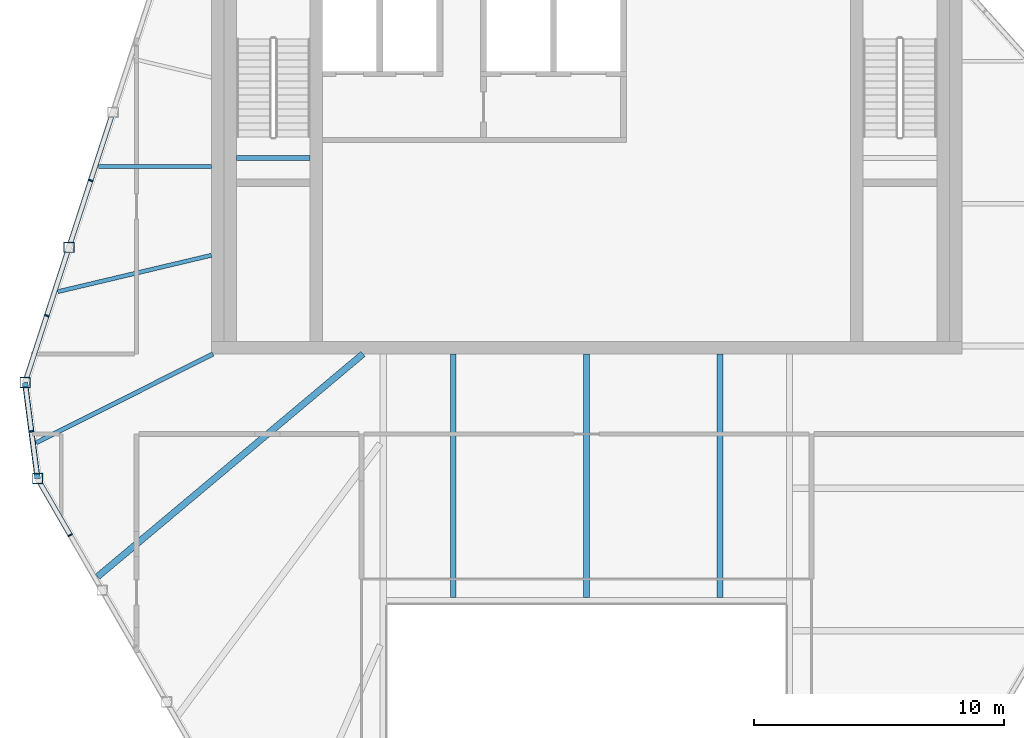
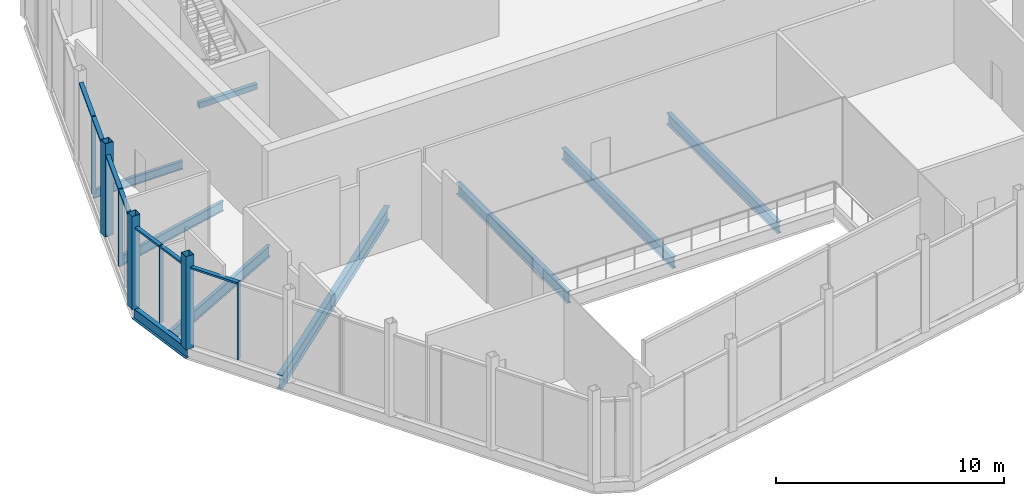
# One storey, part 3 of 12: 14 members, 9 beams, 3 elements without a shape of their own.
"""IFC4 building model written with IfcOpenShell, lengths in metres."""

from ifc_helpers import new_model, si_unit, direction, frame, origin, origin_2d, place, context, subcontext, project, spatial, rectangle, hollow_rectangle, i_section, extrude, material, layer, layer_set, material_profile, profile_set, type_object, element, aggregate, save


model = new_model("IFC4")

# Units and contexts
model_context = context("Model", 3, precision=1e-05, world=origin(), true_north=direction((0.0, 1.0)))
body_context = subcontext(model_context, "Body", "Model", "MODEL_VIEW")
ifc_project = project(units=[si_unit("LENGTHUNIT", "METRE"), si_unit("AREAUNIT", "SQUARE_METRE"), si_unit("VOLUMEUNIT", "CUBIC_METRE"), si_unit("PLANEANGLEUNIT", "RADIAN"), si_unit("MASSUNIT", "GRAM", prefix="KILO")], contexts=[model_context])

# Site, building, storey
site_placement = place(None, origin())
site = spatial("IfcSite", under=ifc_project, at=site_placement, CompositionType="ELEMENT")
building_placement = place(site_placement, origin())
building = spatial("IfcBuilding", under=site, at=building_placement, Name="Isthmus Gate Tower", CompositionType="ELEMENT")
storey_placement = place(building_placement, frame((0.0, 0.0, 306.10009765625)))
storey = spatial("IfcBuildingStorey", under=building, at=storey_placement, Name="C2", CompositionType="ELEMENT", Elevation=306.10009765625)

# Members
ifc_material_1 = material(Name="Structural steel ASTM A500 Gr C", Category="steel")
ifc_material_profile_1 = material_profile(ifc_material_1, hollow_rectangle(XDim=0.406494140625, YDim=0.406494140625, WallThickness=0.017578125, at=origin_2d()), Name="HSS16X16X3/4")
ifc_profile_set_1 = profile_set([ifc_material_profile_1], Name="Structural steel ASTM A500 Gr C")
member_type_1 = type_object("IfcMemberType", Name="CROWN POST HSS16X16X3/4", PredefinedType="POST", material=ifc_profile_set_1)
for number, where, z_axis, x_axis, name in (
    (1, (-20.693359375, 4.26123046875, -0.25), (0.0, 0.0, 1.0), (1.0, 0.0, 0.0), "str-crownpost-C2-09"),
    (2, (-22.449462890625, -1.1435546875, -0.25), (0.0, 0.0, 1.0), (1.0, 0.0, 0.0), "str-crownpost-C2-10"),
    (3, (-21.949462890625, -4.982177734375, -0.25), (0.0, 0.0, 1.0), (1.0, 0.0, 0.0), "str-crownpost-C2-11"),
):
    element("IfcMember", number, at=place(storey_placement, frame(where, z_axis=z_axis, x_axis=x_axis)), inside=storey, type_object=member_type_1, Name=name, PredefinedType="POST", context=body_context, shape_type="SweptSolid", body=[
        extrude(hollow_rectangle(XDim=0.406494140625, YDim=0.406494140625, WallThickness=0.017578125, at=origin_2d()), origin(), (0.0, 0.0, 1.0), 5.0),
    ])

# Beam
ifc_material_2 = material(Name="Structural steel ASTM A992 Gr 50", Category="steel")
ifc_material_profile_2 = material_profile(ifc_material_2, i_section(OverallWidth=0.231689453125, OverallDepth=0.615966796875, WebThickness=0.0126953125, FlangeThickness=0.022216796875, at=origin_2d()), Name="W24X94")
ifc_profile_set_2 = profile_set([ifc_material_profile_2], Name="Structural steel ASTM A992 Gr 50")
beam_type_1 = type_object("IfcBeamType", Name="CROWN RING BEAM W24X94", PredefinedType="BEAM", material=ifc_profile_set_2)
beam_1_placement = place(storey_placement, frame((-22.449462890625, -1.1435546875, -0.55810546875), z_axis=(0.129163927133, -0.991623255036, 0.0), x_axis=(0.991623255036, 0.129163927133, 0.0)))
element("IfcBeam", 4, at=beam_1_placement, inside=storey, type_object=beam_type_1, Name="str-crownring-C2-03", PredefinedType="BEAM", context=body_context, shape_type="SweptSolid", body=[
    extrude(i_section(OverallWidth=0.231689453125, OverallDepth=0.615966796875, WebThickness=0.0126953125, FlangeThickness=0.022216796875, at=origin_2d()), origin(), (0.0, 0.0, 1.0), 3.87109375),
])

# Curtain wall, members
ifc_material_3 = material(Name="Aluminium, pale champagne anodised", Category="aluminium")
ifc_layer = layer(ifc_material_3, 0.199951171875)
ifc_layer_set = layer_set([ifc_layer], Name="CW-2 LOUVRE CURTAIN WALL 200 DEEP")
curtain_wall_type = type_object("IfcCurtainWallType", Name="CW-2 LOUVRE CURTAIN WALL 200 DEEP", PredefinedType="NOTDEFINED", material=ifc_layer_set)
curtain_wall_1_placement = place(storey_placement, origin())
curtain_wall_1 = element("IfcCurtainWall", 5, at=curtain_wall_1_placement, inside=storey, type_object=curtain_wall_type, Name="CW-2 E02 C2", PredefinedType="NOTDEFINED")
ifc_material_4 = material(Name="Aluminium, pale champagne anodised", Category="aluminium")
ifc_material_profile_3 = material_profile(ifc_material_4, rectangle(XDim=0.06005859375, YDim=0.199951171875, at=origin_2d()), Name="60x200")
ifc_profile_set_3 = profile_set([ifc_material_profile_3], Name="Aluminium, pale champagne anodised")
member_type_2 = type_object("IfcMemberType", Name="CW-2 MULLION 60 X 200", PredefinedType="MULLION", material=ifc_profile_set_3)
member_1_placement = place(storey_placement, frame((-19.82470703125, 6.93505859375, 0.0), z_axis=(0.0, 0.0, 1.0), x_axis=(-0.309016994375, -0.951056516295, 0.0)))
member_1 = element("IfcMember", 6, at=member_1_placement, type_object=member_type_2, Name="CW-2 mullion", PredefinedType="MULLION", context=body_context, shape_type="SweptSolid", body=[
    extrude(rectangle(XDim=0.06005859375, YDim=0.199951171875, at=origin_2d()), origin(), (0.0, 0.0, 1.0), 4.134033203125),
])
member_2_placement = place(storey_placement, frame((-21.580810546875, 1.5302734375, 0.0), z_axis=(0.0, 0.0, 1.0), x_axis=(-0.309016994375, -0.951056516295, 0.0)))
member_2 = element("IfcMember", 7, at=member_2_placement, type_object=member_type_2, Name="CW-2 mullion", PredefinedType="MULLION", context=body_context, shape_type="SweptSolid", body=[
    extrude(rectangle(XDim=0.06005859375, YDim=0.199951171875, at=origin_2d()), origin(), (0.0, 0.0, 1.0), 4.134033203125),
])

# Curtain wall, member
curtain_wall_2_placement = place(storey_placement, origin())
curtain_wall_2 = element("IfcCurtainWall", 8, at=curtain_wall_2_placement, inside=storey, type_object=curtain_wall_type, Name="CW-2 E03 C2", PredefinedType="NOTDEFINED")
member_3_placement = place(storey_placement, frame((-22.195556640625, -3.0927734375, 0.0), z_axis=(0.0, 0.0, 1.0), x_axis=(0.129164534, -0.991623175988, 0.0)))
member_3 = element("IfcMember", 9, at=member_3_placement, type_object=member_type_2, Name="CW-2 mullion", PredefinedType="MULLION", context=body_context, shape_type="SweptSolid", body=[
    extrude(rectangle(XDim=0.06005859375, YDim=0.199951171875, at=origin_2d()), origin(), (0.0, 0.0, 1.0), 4.134033203125),
])

curtain_wall_3_placement = place(storey_placement, origin())
curtain_wall_3 = element("IfcCurtainWall", 10, at=curtain_wall_3_placement, inside=storey, type_object=curtain_wall_type, Name="CW-2 E04 C2", PredefinedType="NOTDEFINED")
member_4_placement = place(storey_placement, frame((-20.645263671875, -7.241455078125, 0.0), z_axis=(0.0, 0.0, 1.0), x_axis=(0.5, -0.866025403784, 0.0)))
member_4 = element("IfcMember", 11, at=member_4_placement, type_object=member_type_2, Name="CW-2 mullion", PredefinedType="MULLION", context=body_context, shape_type="SweptSolid", body=[
    extrude(rectangle(XDim=0.06005859375, YDim=0.199951171875, at=origin_2d()), origin(), (0.0, 0.0, 1.0), 4.134033203125),
])

# Member
ifc_material_5 = material(Name="Aluminium, pale champagne anodised", Category="aluminium")
ifc_material_profile_4 = material_profile(ifc_material_5, rectangle(XDim=0.199951171875, YDim=0.10009765625, at=origin_2d()), Name="200x100")
ifc_profile_set_4 = profile_set([ifc_material_profile_4], Name="Aluminium, pale champagne anodised")
member_type_3 = type_object("IfcMemberType", Name="CW-2 TRANSOM 200 X 100", PredefinedType="USERDEFINED", material=ifc_profile_set_4)
member_5_placement = place(storey_placement, frame((-19.0, 9.472900390625, 4.083984375), z_axis=(-0.30905677999, -0.951043588245, 0.0), x_axis=(0.951043588245, -0.30905677999, 0.0)))
member_5 = element("IfcMember", 12, at=member_5_placement, type_object=member_type_3, Name="CW-2 transom", ObjectType="TRANSOM", PredefinedType="USERDEFINED", context=body_context, shape_type="SweptSolid", body=[
    extrude(rectangle(XDim=0.199951171875, YDim=0.10009765625, at=origin_2d()), origin(), (0.0, 0.0, 1.0), 2.638427734375),
])

member_6_placement = place(storey_placement, frame((-19.833984375, 6.90673828125, 4.083984375), z_axis=(-0.308974732738, -0.951070246895, 0.0), x_axis=(0.951070246895, -0.308974732738, 0.0)))
member_6 = element("IfcMember", 13, at=member_6_placement, type_object=member_type_3, Name="CW-2 transom", ObjectType="TRANSOM", PredefinedType="USERDEFINED", context=body_context, shape_type="SweptSolid", body=[
    extrude(rectangle(XDim=0.199951171875, YDim=0.10009765625, at=origin_2d()), origin(), (0.0, 0.0, 1.0), 2.578369140625),
])

member_7_placement = place(storey_placement, frame((-20.756103515625, 4.068115234375, 4.083984375), z_axis=(-0.30905677999, -0.951043588245, 0.0), x_axis=(0.951043588245, -0.30905677999, 0.0)))
member_7 = element("IfcMember", 14, at=member_7_placement, type_object=member_type_3, Name="CW-2 transom", ObjectType="TRANSOM", PredefinedType="USERDEFINED", context=body_context, shape_type="SweptSolid", body=[
    extrude(rectangle(XDim=0.199951171875, YDim=0.10009765625, at=origin_2d()), origin(), (0.0, 0.0, 1.0), 2.638427734375),
])

member_8_placement = place(storey_placement, frame((-21.590087890625, 1.501708984375, 4.083984375), z_axis=(-0.308974732738, -0.951070246895, 0.0), x_axis=(0.951070246895, -0.308974732738, 0.0)))
member_8 = element("IfcMember", 15, at=member_8_placement, type_object=member_type_3, Name="CW-2 transom", ObjectType="TRANSOM", PredefinedType="USERDEFINED", context=body_context, shape_type="SweptSolid", body=[
    extrude(rectangle(XDim=0.199951171875, YDim=0.10009765625, at=origin_2d()), origin(), (0.0, 0.0, 1.0), 2.578369140625),
])

aggregate(curtain_wall_1, [member_5, member_1, member_6, member_7, member_2, member_8])

member_9_placement = place(storey_placement, frame((-22.42333984375, -1.34521484375, 4.083984375), z_axis=(0.129236757145, -0.99161376584, 0.0), x_axis=(0.99161376584, 0.129236757145, 0.0)))
member_9 = element("IfcMember", 16, at=member_9_placement, type_object=member_type_3, Name="CW-2 transom", ObjectType="TRANSOM", PredefinedType="USERDEFINED", context=body_context, shape_type="SweptSolid", body=[
    extrude(rectangle(XDim=0.199951171875, YDim=0.10009765625, at=origin_2d()), origin(), (0.0, 0.0, 1.0), 1.732421875),
])

member_10_placement = place(storey_placement, frame((-22.19189453125, -3.12255859375, 4.083984375), z_axis=(0.129208110505, -0.991617498928, 0.0), x_axis=(0.991617498928, 0.129208110505, 0.0)))
member_10 = element("IfcMember", 17, at=member_10_placement, type_object=member_type_3, Name="CW-2 transom", ObjectType="TRANSOM", PredefinedType="USERDEFINED", context=body_context, shape_type="SweptSolid", body=[
    extrude(rectangle(XDim=0.199951171875, YDim=0.10009765625, at=origin_2d()), origin(), (0.0, 0.0, 1.0), 1.672119140625),
])

aggregate(curtain_wall_2, [member_9, member_3, member_10])

member_11_placement = place(storey_placement, frame((-21.847900390625, -5.158203125, 4.083984375), z_axis=(0.49997450891, -0.866040120572, 0.0), x_axis=(0.866040120572, 0.49997450891, 0.0)))
member_11 = element("IfcMember", 18, at=member_11_placement, type_object=member_type_3, Name="CW-2 transom", ObjectType="TRANSOM", PredefinedType="USERDEFINED", context=body_context, shape_type="SweptSolid", body=[
    extrude(rectangle(XDim=0.199951171875, YDim=0.10009765625, at=origin_2d()), origin(), (0.0, 0.0, 1.0), 2.37548828125),
])

aggregate(curtain_wall_3, [member_11, member_4])

# Beams
ifc_material_6 = material(Name="Concrete f'c 40 MPa", Category="concrete")
ifc_material_profile_5 = material_profile(ifc_material_6, rectangle(XDim=0.199951171875, YDim=0.300048828125, at=origin_2d()), Name="STAIR LANDING BEAM RC 200 X 300")
ifc_profile_set_5 = profile_set([ifc_material_profile_5], Name="Concrete f'c 40 MPa")
beam_type_2 = type_object("IfcBeamType", Name="STAIR LANDING BEAM RC 200 X 300", PredefinedType="BEAM", material=ifc_profile_set_5)
beam_2_placement = place(storey_placement, frame((-14.0, 7.840087890625, 2.14990234375), z_axis=(1.0, 0.0, 0.0), x_axis=(0.0, 1.0, 0.0)))
element("IfcBeam", 19, at=beam_2_placement, inside=storey, type_object=beam_type_2, Name="C2 ST1 landing beam 1", PredefinedType="BEAM", context=body_context, shape_type="SweptSolid", body=[
    extrude(rectangle(XDim=0.199951171875, YDim=0.300048828125, at=origin_2d()), origin(), (0.0, 0.0, 1.0), 2.949951171875),
])
ifc_material_7 = material(Name="Structural steel ASTM A992 Gr 50", Category="steel")
ifc_material_profile_6 = material_profile(ifc_material_7, i_section(OverallWidth=0.15234375, OverallDepth=0.45068359375, WebThickness=0.0078125, FlangeThickness=0.010986328125, at=origin_2d()), Name="W18X35")
ifc_profile_set_6 = profile_set([ifc_material_profile_6], Name="Structural steel ASTM A992 Gr 50")
beam_type_3 = type_object("IfcBeamType", Name="STEEL FLOOR BEAM W18X35", PredefinedType="JOIST", material=ifc_profile_set_6)
beam_3_placement = place(storey_placement, frame((-15.0, 7.5, -0.4755859375), z_axis=(-1.0, 0.0, 0.0), x_axis=(0.0, -1.0, 0.0)))
element("IfcBeam", 20, at=beam_3_placement, inside=storey, type_object=beam_type_3, Name="str-beam-C2-00-11", PredefinedType="JOIST", context=body_context, shape_type="SweptSolid", body=[
    extrude(i_section(OverallWidth=0.15234375, OverallDepth=0.45068359375, WebThickness=0.0078125, FlangeThickness=0.010986328125, at=origin_2d()), origin(), (0.0, 0.0, 1.0), 4.519287109375),
])
ifc_material_8 = material(Name="Structural steel ASTM A992 Gr 50", Category="steel")
ifc_material_profile_7 = material_profile(ifc_material_8, i_section(OverallWidth=0.1650390625, OverallDepth=0.52392578125, WebThickness=0.009521484375, FlangeThickness=0.010986328125, at=origin_2d()), Name="W21X44")
ifc_profile_set_7 = profile_set([ifc_material_profile_7], Name="Structural steel ASTM A992 Gr 50")
beam_type_4 = type_object("IfcBeamType", Name="STEEL FLOOR BEAM W21X44", PredefinedType="JOIST", material=ifc_profile_set_7)
beam_4_placement = place(storey_placement, frame((-15.0, 3.94482421875, -0.511962890625), z_axis=(-0.97304492809, -0.230615628086, 0.0), x_axis=(0.230615628086, -0.97304492809, 0.0)))
element("IfcBeam", 21, at=beam_4_placement, inside=storey, type_object=beam_type_4, Name="str-beam-C2-00-12", PredefinedType="JOIST", context=body_context, shape_type="SweptSolid", body=[
    extrude(i_section(OverallWidth=0.1650390625, OverallDepth=0.52392578125, WebThickness=0.009521484375, FlangeThickness=0.010986328125, at=origin_2d()), origin(), (0.0, 0.0, 1.0), 6.318115234375),
])
ifc_material_9 = material(Name="Structural steel ASTM A992 Gr 50", Category="steel")
ifc_material_profile_8 = material_profile(ifc_material_9, i_section(OverallWidth=0.177734375, OverallDepth=0.60009765625, WebThickness=0.009521484375, FlangeThickness=0.0126953125, at=origin_2d()), Name="W24X55")
ifc_profile_set_8 = profile_set([ifc_material_profile_8], Name="Structural steel ASTM A992 Gr 50")
beam_type_5 = type_object("IfcBeamType", Name="STEEL FLOOR BEAM W24X55", PredefinedType="JOIST", material=ifc_profile_set_8)
beam_5_placement = place(storey_placement, frame((-14.933837890625, 0.0, -0.550048828125), z_axis=(-0.893637424395, -0.448789654204, 0.0), x_axis=(0.448789654204, -0.893637424395, 0.0)))
element("IfcBeam", 22, at=beam_5_placement, inside=storey, type_object=beam_type_5, Name="str-beam-C2-00-13", PredefinedType="JOIST", context=body_context, shape_type="SweptSolid", body=[
    extrude(i_section(OverallWidth=0.177734375, OverallDepth=0.60009765625, WebThickness=0.009521484375, FlangeThickness=0.0126953125, at=origin_2d()), origin(), (0.0, 0.0, 1.0), 7.927734375),
])
ifc_material_10 = material(Name="Structural steel ASTM A992 Gr 50", Category="steel")
ifc_material_profile_9 = material_profile(ifc_material_10, i_section(OverallWidth=0.228515625, OverallDepth=0.603271484375, WebThickness=0.010986328125, FlangeThickness=0.014404296875, at=origin_2d()), Name="W24X68")
ifc_profile_set_9 = profile_set([ifc_material_profile_9], Name="Structural steel ASTM A992 Gr 50")
beam_type_6 = type_object("IfcBeamType", Name="STEEL FLOOR BEAM W24X68", PredefinedType="JOIST", material=ifc_profile_set_9)
for number, where, z_axis, x_axis, name in (
    (23, (-5.333251953125, -9.7333984375, -0.5517578125), (0.0, 1.0, 0.0), (-1.0, 0.0, 0.0), "str-beam-C2-02-00"),
    (24, (0.0, -9.7333984375, -0.5517578125), (0.0, 1.0, 0.0), (-1.0, 0.0, 0.0), "str-beam-C2-02-01"),
    (25, (5.333251953125, -9.7333984375, -0.5517578125), (0.0, 1.0, 0.0), (-1.0, 0.0, 0.0), "str-beam-C2-02-02"),
):
    element("IfcBeam", number, at=place(storey_placement, frame(where, z_axis=z_axis, x_axis=x_axis)), inside=storey, type_object=beam_type_6, Name=name, PredefinedType="JOIST", context=body_context, shape_type="SweptSolid", body=[
        extrude(i_section(OverallWidth=0.228515625, OverallDepth=0.603271484375, WebThickness=0.010986328125, FlangeThickness=0.014404296875, at=origin_2d()), origin(), (0.0, 0.0, 1.0), 9.7333984375),
    ])
ifc_material_11 = material(Name="Structural steel ASTM A992 Gr 50", Category="steel")
ifc_material_profile_10 = material_profile(ifc_material_11, i_section(OverallWidth=0.263427734375, OverallDepth=0.749267578125, WebThickness=0.0126953125, FlangeThickness=0.015869140625, at=origin_2d()), Name="W30X90")
ifc_profile_set_10 = profile_set([ifc_material_profile_10], Name="Structural steel ASTM A992 Gr 50")
beam_type_7 = type_object("IfcBeamType", Name="STEEL FLOOR BEAM W30X90", PredefinedType="JOIST", material=ifc_profile_set_10)
beam_6_placement = place(storey_placement, frame((-8.938232421875, 0.0, -0.624755859375), z_axis=(-0.766042897372, -0.642789451831, 0.0), x_axis=(0.642789451831, -0.766042897372, 0.0)))
element("IfcBeam", 26, at=beam_6_placement, inside=storey, type_object=beam_type_7, Name="str-beam-C2-00-14", PredefinedType="JOIST", context=body_context, shape_type="SweptSolid", body=[
    extrude(i_section(OverallWidth=0.263427734375, OverallDepth=0.749267578125, WebThickness=0.0126953125, FlangeThickness=0.015869140625, at=origin_2d()), origin(), (0.0, 0.0, 1.0), 13.853759765625),
])

save(model, "model.ifc")
